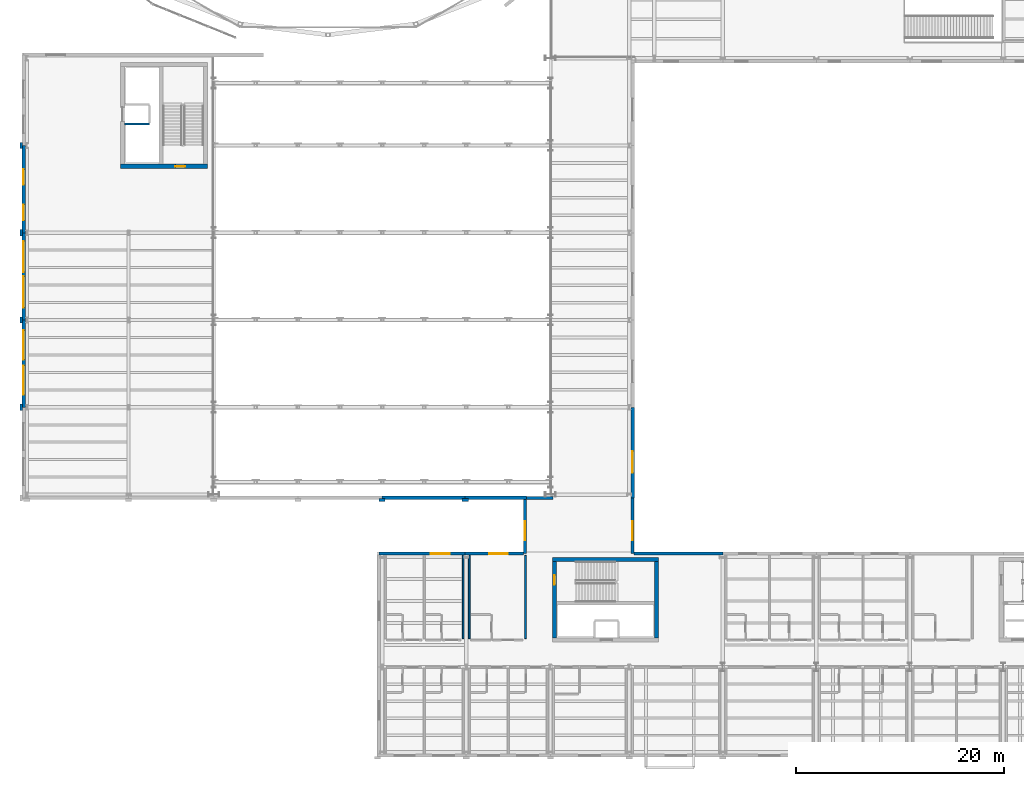
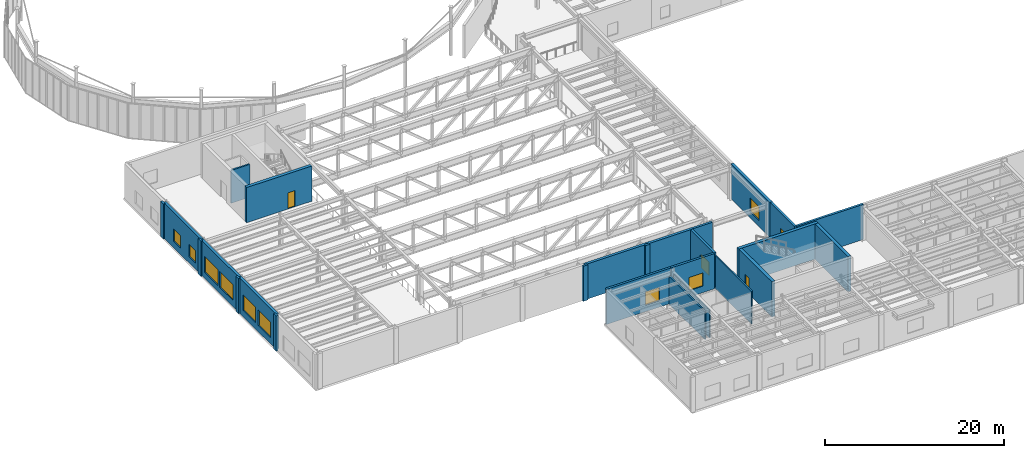
# One storey, part 67 of 91: 26 walls, 11 windows, 2 doors, 13 openings.
"""IFC4 building model written with IfcOpenShell, lengths in metres."""

from ifc_helpers import new_model, si_unit, direction, frame, frame_2d, origin, place, context, subcontext, project, spatial, rectangle, extrude, material, layer, layer_set, type_object, element, fill, save


model = new_model("IFC4")

# Units and contexts
model_context = context("Model", 3, precision=1e-05, world=origin(), true_north=direction((0.0, 1.0)))
body_context = subcontext(model_context, "Body", "Model", "MODEL_VIEW")
ifc_project = project(units=[si_unit("LENGTHUNIT", "METRE"), si_unit("AREAUNIT", "SQUARE_METRE"), si_unit("VOLUMEUNIT", "CUBIC_METRE"), si_unit("PLANEANGLEUNIT", "RADIAN"), si_unit("MASSUNIT", "GRAM", prefix="KILO")], contexts=[model_context])

# Site, building, storey
site_placement = place(None, origin())
site = spatial("IfcSite", under=ifc_project, at=site_placement, CompositionType="ELEMENT")
building_placement = place(site_placement, origin())
building = spatial("IfcBuilding", under=site, at=building_placement, Name="Sollismere Congress Hotel", CompositionType="ELEMENT")
storey_placement = place(building_placement, frame((0.0, 0.0, 10.800048828125)))
storey = spatial("IfcBuildingStorey", under=building, at=storey_placement, Name="L02", CompositionType="ELEMENT", Elevation=10.800048828125)

# Wall, opening, window
ifc_material_1 = material(Name="Colorado Buff Sandstone Rainscreen on Insulated Backup", Category="masonry")
ifc_layer_1 = layer(ifc_material_1, 0.284912109375, Name="Colorado Buff Sandstone Rainscreen on Insulated Backup")
ifc_layer_set_1 = layer_set([ifc_layer_1], Name="Colorado Buff Sandstone Rainscreen on Insulated Backup")
wall_type_1 = type_object("IfcWallType", Name="WL-EXT285", PredefinedType="STANDARD", material=ifc_layer_set_1)
wall_1_placement = place(storey_placement, frame((58.31005859375, 19.110107421875, 0.0), z_axis=(0.0, 0.0, 1.0), x_axis=(0.0, 1.0, 0.0)))
wall_1 = element("IfcWall", 1, at=wall_1_placement, inside=storey, type_object=wall_type_1, Name="Exterior wall EW-L02-168", PredefinedType="STANDARD", context=body_context, shape_type="SweptSolid", body=[
    extrude(rectangle(XDim=5.3798828125, YDim=0.284912109375, at=frame_2d((2.68994140625, 0.0))), origin(), (0.0, 0.0, 1.0), 4.800048828125),
])
opening_1_placement = place(wall_1_placement, frame((1.300048828125, 0.0, 0.89990234375)))
opening_1 = element("IfcOpeningElement", 2, at=opening_1_placement, cuts=wall_1, Name="Opening W-L02-139", PredefinedType="OPENING", context=body_context, shape_type="SweptSolid", body=[
    extrude(rectangle(XDim=1.800048828125, YDim=1.800048828125, at=frame_2d((0.89990234375, 0.89990234375))), frame((0.0, 0.15234375, 0.0), z_axis=(0.0, -1.0, 0.0), x_axis=(1.0, 0.0, 0.0)), (0.0, 0.0, 1.0), 0.304931640625),
])
ifc_material_2 = material(Name="Thermally Broken Bronze Aluminum & Low-E Glass", Category="aluminium")
window_type_1 = type_object("IfcWindowType", Name="WN-P180x180", PartitioningType="SINGLE_PANEL", PredefinedType="WINDOW", material=ifc_material_2)
window_1_placement = place(opening_1_placement, origin())
window_1 = element("IfcWindow", 3, at=window_1_placement, inside=storey, type_object=window_type_1, Name="WIN-W-L02-139", OverallHeight=1.800048828125, OverallWidth=1.800048828125, PartitioningType="SINGLE_PANEL", PredefinedType="WINDOW", context=body_context, shape_type="SweptSolid", body=[
    extrude(rectangle(XDim=1.800048828125, YDim=1.800048828125, at=frame_2d((0.89990234375, 0.89990234375))), frame((0.0, 0.030029296875, 0.0), z_axis=(0.0, -1.0, 0.0), x_axis=(1.0, 0.0, 0.0)), (0.0, 0.0, 1.0), 0.06005859375),
])
fill(opening_1, window_1)

# Wall
wall_2_placement = place(storey_placement, frame((48.080078125, 24.489990234375, 0.0), z_axis=(0.0, 0.0, 1.0), x_axis=(1.0, 0.0, 0.0)))
element("IfcWall", 4, at=wall_2_placement, inside=storey, type_object=wall_type_1, Name="Exterior wall EW-L02-169", PredefinedType="STANDARD", context=body_context, shape_type="SweptSolid", body=[
    extrude(rectangle(XDim=2.56982421875, YDim=0.284912109375, at=frame_2d((1.284912109375, 0.0))), origin(), (0.0, 0.0, 1.0), 4.800048828125),
])

# Wall, opening, window
wall_3_placement = place(storey_placement, frame((47.949951171875, 19.110107421875, 0.0), z_axis=(0.0, 0.0, 1.0), x_axis=(0.0, 1.0, 0.0)))
wall_3 = element("IfcWall", 5, at=wall_3_placement, inside=storey, type_object=wall_type_1, Name="Exterior wall EW-L02-170", PredefinedType="STANDARD", context=body_context, shape_type="SweptSolid", body=[
    extrude(rectangle(XDim=5.3798828125, YDim=0.284912109375, at=frame_2d((2.68994140625, 0.0))), origin(), (0.0, 0.0, 1.0), 4.800048828125),
])
opening_2_placement = place(wall_3_placement, frame((1.300048828125, 0.0, 0.89990234375)))
opening_2 = element("IfcOpeningElement", 6, at=opening_2_placement, cuts=wall_3, Name="Opening W-L02-140", PredefinedType="OPENING", context=body_context, shape_type="SweptSolid", body=[
    extrude(rectangle(XDim=1.800048828125, YDim=1.800048828125, at=frame_2d((0.89990234375, 0.89990234375))), frame((0.0, 0.15234375, 0.0), z_axis=(0.0, -1.0, 0.0), x_axis=(1.0, 0.0, 0.0)), (0.0, 0.0, 1.0), 0.304931640625),
])
window_2_placement = place(opening_2_placement, origin())
window_2 = element("IfcWindow", 7, at=window_2_placement, inside=storey, type_object=window_type_1, Name="WIN-W-L02-140", OverallHeight=1.800048828125, OverallWidth=1.800048828125, PartitioningType="SINGLE_PANEL", PredefinedType="WINDOW", context=body_context, shape_type="SweptSolid", body=[
    extrude(rectangle(XDim=1.800048828125, YDim=1.800048828125, at=frame_2d((0.89990234375, 0.89990234375))), frame((0.0, 0.030029296875, 0.0), z_axis=(0.0, -1.0, 0.0), x_axis=(1.0, 0.0, 0.0)), (0.0, 0.0, 1.0), 0.06005859375),
])
fill(opening_2, window_2)

# Wall
wall_4_placement = place(storey_placement, frame((67.0, 19.110107421875, 0.0), z_axis=(0.0, 0.0, 1.0), x_axis=(-1.0, 0.0, 0.0)))
element("IfcWall", 8, at=wall_4_placement, inside=storey, type_object=wall_type_1, Name="Exterior wall EW-L02-370", PredefinedType="STANDARD", context=body_context, shape_type="SweptSolid", body=[
    extrude(rectangle(XDim=8.54541015625, YDim=0.284912109375, at=frame_2d((4.272705078125, 0.0))), origin(), (0.0, 0.0, 1.0), 4.800048828125),
])

# Wall, opening, window
wall_5_placement = place(storey_placement, frame((42.199951171875, 19.110107421875, 0.0), z_axis=(0.0, 0.0, 1.0), x_axis=(-1.0, 0.0, 0.0)))
wall_5 = element("IfcWall", 9, at=wall_5_placement, inside=storey, type_object=wall_type_1, Name="Exterior wall EW-L02-379", PredefinedType="STANDARD", context=body_context, shape_type="SweptSolid", body=[
    extrude(rectangle(XDim=8.31005859375, YDim=0.284912109375, at=frame_2d((4.155029296875, 0.0))), origin(), (0.0, 0.0, 1.0), 4.800048828125),
])
opening_3_placement = place(wall_5_placement, frame((1.5, 0.0, 0.8798828125)))
opening_3 = element("IfcOpeningElement", 10, at=opening_3_placement, cuts=wall_5, Name="Opening W-L02-299", PredefinedType="OPENING", context=body_context, shape_type="SweptSolid", body=[
    extrude(rectangle(XDim=1.800048828125, YDim=1.800048828125, at=frame_2d((0.89990234375, 0.89990234375))), frame((0.0, 0.15234375, 0.0), z_axis=(0.0, -1.0, 0.0), x_axis=(1.0, 0.0, 0.0)), (0.0, 0.0, 1.0), 0.304931640625),
])
window_3_placement = place(opening_3_placement, origin())
window_3 = element("IfcWindow", 11, at=window_3_placement, inside=storey, type_object=window_type_1, Name="WIN-W-L02-299", OverallHeight=1.800048828125, OverallWidth=1.800048828125, PartitioningType="SINGLE_PANEL", PredefinedType="WINDOW", context=body_context, shape_type="SweptSolid", body=[
    extrude(rectangle(XDim=1.800048828125, YDim=1.800048828125, at=frame_2d((0.89990234375, 0.89990234375))), frame((0.0, 0.030029296875, 0.0), z_axis=(0.0, -1.0, 0.0), x_axis=(1.0, 0.0, 0.0)), (0.0, 0.0, 1.0), 0.06005859375),
])
fill(opening_3, window_3)

wall_6_placement = place(storey_placement, frame((47.805419921875, 19.110107421875, 0.0), z_axis=(0.0, 0.0, 1.0), x_axis=(-1.0, 0.0, 0.0)))
wall_6 = element("IfcWall", 12, at=wall_6_placement, inside=storey, type_object=wall_type_1, Name="Exterior wall EW-L02-380", PredefinedType="STANDARD", context=body_context, shape_type="SweptSolid", body=[
    extrude(rectangle(XDim=5.60546875, YDim=0.284912109375, at=frame_2d((2.802734375, 0.0))), origin(), (0.0, 0.0, 1.0), 4.800048828125),
])
opening_4_placement = place(wall_6_placement, frame((1.5, 0.0, 0.8798828125)))
opening_4 = element("IfcOpeningElement", 13, at=opening_4_placement, cuts=wall_6, Name="Opening W-L02-300", PredefinedType="OPENING", context=body_context, shape_type="SweptSolid", body=[
    extrude(rectangle(XDim=1.800048828125, YDim=1.800048828125, at=frame_2d((0.89990234375, 0.89990234375))), frame((0.0, 0.15234375, 0.0), z_axis=(0.0, -1.0, 0.0), x_axis=(1.0, 0.0, 0.0)), (0.0, 0.0, 1.0), 0.304931640625),
])
window_4_placement = place(opening_4_placement, origin())
window_4 = element("IfcWindow", 14, at=window_4_placement, inside=storey, type_object=window_type_1, Name="WIN-W-L02-300", OverallHeight=1.800048828125, OverallWidth=1.800048828125, PartitioningType="SINGLE_PANEL", PredefinedType="WINDOW", context=body_context, shape_type="SweptSolid", body=[
    extrude(rectangle(XDim=1.800048828125, YDim=1.800048828125, at=frame_2d((0.89990234375, 0.89990234375))), frame((0.0, 0.030029296875, 0.0), z_axis=(0.0, -1.0, 0.0), x_axis=(1.0, 0.0, 0.0)), (0.0, 0.0, 1.0), 0.06005859375),
])
fill(opening_4, window_4)

# Wall, openings, windows
ifc_material_3 = material(Name="Colorado Buff Sandstone and Limestone Backup C40/50", Category="masonry")
ifc_layer_2 = layer(ifc_material_3, 0.340087890625, Name="Colorado Buff Sandstone and Limestone Backup C40/50")
ifc_layer_set_2 = layer_set([ifc_layer_2], Name="Colorado Buff Sandstone and Limestone Backup C40/50")
wall_type_2 = type_object("IfcWallType", Name="WL-EXT340", PredefinedType="STANDARD", material=ifc_layer_set_2)
wall_7_placement = place(storey_placement, frame((-0.31005859375, 33.199951171875, 0.0), z_axis=(0.0, 0.0, 1.0), x_axis=(0.0, 1.0, 0.0)))
wall_7 = element("IfcWall", 15, at=wall_7_placement, inside=storey, type_object=wall_type_2, Name="Exterior wall EW-L02-147", PredefinedType="STANDARD", context=body_context, shape_type="SweptSolid", body=[
    extrude(rectangle(XDim=8.400146484375, YDim=0.340087890625, at=frame_2d((4.2001953125, 0.0))), origin(), (0.0, 0.0, 1.0), 4.800048828125),
])
opening_5_placement = place(wall_7_placement, frame((1.199951171875, 0.0, 0.85009765625)))
opening_5 = element("IfcOpeningElement", 16, at=opening_5_placement, cuts=wall_7, Name="Opening W-L02-130", PredefinedType="OPENING", context=body_context, shape_type="SweptSolid", body=[
    extrude(rectangle(XDim=2.800048828125, YDim=2.10009765625, at=frame_2d((1.39990234375, 1.050048828125))), frame((0.0, 0.179931640625, 0.0), z_axis=(0.0, -1.0, 0.0), x_axis=(1.0, 0.0, 0.0)), (0.0, 0.0, 1.0), 0.360107421875),
])
opening_6_placement = place(wall_7_placement, frame((4.60009765625, 0.0, 0.85009765625)))
opening_6 = element("IfcOpeningElement", 17, at=opening_6_placement, cuts=wall_7, Name="Opening W-L02-131", PredefinedType="OPENING", context=body_context, shape_type="SweptSolid", body=[
    extrude(rectangle(XDim=2.800048828125, YDim=2.10009765625, at=frame_2d((1.39990234375, 1.050048828125))), frame((0.0, 0.179931640625, 0.0), z_axis=(0.0, -1.0, 0.0), x_axis=(1.0, 0.0, 0.0)), (0.0, 0.0, 1.0), 0.360107421875),
])
window_type_2 = type_object("IfcWindowType", Name="WN-P280x210", PartitioningType="SINGLE_PANEL", PredefinedType="WINDOW", material=ifc_material_2)
window_5_placement = place(opening_5_placement, origin())
window_5 = element("IfcWindow", 18, at=window_5_placement, inside=storey, type_object=window_type_2, Name="WIN-W-L02-130", OverallHeight=2.10009765625, OverallWidth=2.800048828125, PartitioningType="SINGLE_PANEL", PredefinedType="WINDOW", context=body_context, shape_type="SweptSolid", body=[
    extrude(rectangle(XDim=2.800048828125, YDim=2.10009765625, at=frame_2d((1.39990234375, 1.050048828125))), frame((0.0, 0.030029296875, 0.0), z_axis=(0.0, -1.0, 0.0), x_axis=(1.0, 0.0, 0.0)), (0.0, 0.0, 1.0), 0.06005859375),
])
fill(opening_5, window_5)
window_6_placement = place(opening_6_placement, origin())
window_6 = element("IfcWindow", 19, at=window_6_placement, inside=storey, type_object=window_type_2, Name="WIN-W-L02-131", OverallHeight=2.10009765625, OverallWidth=2.800048828125, PartitioningType="SINGLE_PANEL", PredefinedType="WINDOW", context=body_context, shape_type="SweptSolid", body=[
    extrude(rectangle(XDim=2.800048828125, YDim=2.10009765625, at=frame_2d((1.39990234375, 1.050048828125))), frame((0.0, 0.030029296875, 0.0), z_axis=(0.0, -1.0, 0.0), x_axis=(1.0, 0.0, 0.0)), (0.0, 0.0, 1.0), 0.06005859375),
])
fill(opening_6, window_6)

wall_8_placement = place(storey_placement, frame((-0.31005859375, 41.60009765625, 0.0), z_axis=(0.0, 0.0, 1.0), x_axis=(0.0, 1.0, 0.0)))
wall_8 = element("IfcWall", 20, at=wall_8_placement, inside=storey, type_object=wall_type_2, Name="Exterior wall EW-L02-149", PredefinedType="STANDARD", context=body_context, shape_type="SweptSolid", body=[
    extrude(rectangle(XDim=8.39990234375, YDim=0.340087890625, at=frame_2d((4.199951171875, 0.0))), origin(), (0.0, 0.0, 1.0), 4.800048828125),
])
opening_7_placement = place(wall_8_placement, frame((1.199951171875, 0.0, 0.85009765625)))
opening_7 = element("IfcOpeningElement", 21, at=opening_7_placement, cuts=wall_8, Name="Opening W-L02-132", PredefinedType="OPENING", context=body_context, shape_type="SweptSolid", body=[
    extrude(rectangle(XDim=3.0, YDim=2.14990234375, at=frame_2d((1.5, 1.074951171875))), frame((0.0, 0.179931640625, 0.0), z_axis=(0.0, -1.0, 0.0), x_axis=(1.0, 0.0, 0.0)), (0.0, 0.0, 1.0), 0.360107421875),
])
opening_8_placement = place(wall_8_placement, frame((4.60009765625, 0.0, 0.85009765625)))
opening_8 = element("IfcOpeningElement", 22, at=opening_8_placement, cuts=wall_8, Name="Opening W-L02-133", PredefinedType="OPENING", context=body_context, shape_type="SweptSolid", body=[
    extrude(rectangle(XDim=3.0, YDim=2.14990234375, at=frame_2d((1.5, 1.074951171875))), frame((0.0, 0.179931640625, 0.0), z_axis=(0.0, -1.0, 0.0), x_axis=(1.0, 0.0, 0.0)), (0.0, 0.0, 1.0), 0.360107421875),
])
window_type_3 = type_object("IfcWindowType", Name="WN-P300x215", PartitioningType="SINGLE_PANEL", PredefinedType="WINDOW", material=ifc_material_2)
window_7_placement = place(opening_7_placement, origin())
window_7 = element("IfcWindow", 23, at=window_7_placement, inside=storey, type_object=window_type_3, Name="WIN-W-L02-132", OverallHeight=2.14990234375, OverallWidth=3.0, PartitioningType="SINGLE_PANEL", PredefinedType="WINDOW", context=body_context, shape_type="SweptSolid", body=[
    extrude(rectangle(XDim=3.0, YDim=2.14990234375, at=frame_2d((1.5, 1.074951171875))), frame((0.0, 0.030029296875, 0.0), z_axis=(0.0, -1.0, 0.0), x_axis=(1.0, 0.0, 0.0)), (0.0, 0.0, 1.0), 0.06005859375),
])
fill(opening_7, window_7)
window_8_placement = place(opening_8_placement, origin())
window_8 = element("IfcWindow", 24, at=window_8_placement, inside=storey, type_object=window_type_3, Name="WIN-W-L02-133", OverallHeight=2.14990234375, OverallWidth=3.0, PartitioningType="SINGLE_PANEL", PredefinedType="WINDOW", context=body_context, shape_type="SweptSolid", body=[
    extrude(rectangle(XDim=3.0, YDim=2.14990234375, at=frame_2d((1.5, 1.074951171875))), frame((0.0, 0.030029296875, 0.0), z_axis=(0.0, -1.0, 0.0), x_axis=(1.0, 0.0, 0.0)), (0.0, 0.0, 1.0), 0.06005859375),
])
fill(opening_8, window_8)

wall_9_placement = place(storey_placement, frame((-0.31005859375, 50.0, 0.0), z_axis=(0.0, 0.0, 1.0), x_axis=(0.0, 1.0, 0.0)))
wall_9 = element("IfcWall", 25, at=wall_9_placement, inside=storey, type_object=wall_type_2, Name="Exterior wall EW-L02-151", PredefinedType="STANDARD", context=body_context, shape_type="SweptSolid", body=[
    extrude(rectangle(XDim=8.39990234375, YDim=0.340087890625, at=frame_2d((4.199951171875, 0.0))), origin(), (0.0, 0.0, 1.0), 4.800048828125),
])
opening_9_placement = place(wall_9_placement, frame((1.199951171875, 0.0, 0.85009765625)))
opening_9 = element("IfcOpeningElement", 26, at=opening_9_placement, cuts=wall_9, Name="Opening W-L02-134", PredefinedType="OPENING", context=body_context, shape_type="SweptSolid", body=[
    extrude(rectangle(XDim=1.5, YDim=1.699951171875, at=frame_2d((0.75, 0.85009765625))), frame((0.0, 0.179931640625, 0.0), z_axis=(0.0, -1.0, 0.0), x_axis=(1.0, 0.0, 0.0)), (0.0, 0.0, 1.0), 0.360107421875),
])
opening_10_placement = place(wall_9_placement, frame((4.60009765625, 0.0, 0.85009765625)))
opening_10 = element("IfcOpeningElement", 27, at=opening_10_placement, cuts=wall_9, Name="Opening W-L02-135", PredefinedType="OPENING", context=body_context, shape_type="SweptSolid", body=[
    extrude(rectangle(XDim=1.5, YDim=1.699951171875, at=frame_2d((0.75, 0.85009765625))), frame((0.0, 0.179931640625, 0.0), z_axis=(0.0, -1.0, 0.0), x_axis=(1.0, 0.0, 0.0)), (0.0, 0.0, 1.0), 0.360107421875),
])
window_type_4 = type_object("IfcWindowType", Name="WN-P150x170", PartitioningType="SINGLE_PANEL", PredefinedType="WINDOW", material=ifc_material_2)
window_9_placement = place(opening_9_placement, origin())
window_9 = element("IfcWindow", 28, at=window_9_placement, inside=storey, type_object=window_type_4, Name="WIN-W-L02-134", OverallHeight=1.699951171875, OverallWidth=1.5, PartitioningType="SINGLE_PANEL", PredefinedType="WINDOW", context=body_context, shape_type="SweptSolid", body=[
    extrude(rectangle(XDim=1.5, YDim=1.699951171875, at=frame_2d((0.75, 0.85009765625))), frame((0.0, 0.030029296875, 0.0), z_axis=(0.0, -1.0, 0.0), x_axis=(1.0, 0.0, 0.0)), (0.0, 0.0, 1.0), 0.06005859375),
])
fill(opening_9, window_9)
window_10_placement = place(opening_10_placement, origin())
window_10 = element("IfcWindow", 29, at=window_10_placement, inside=storey, type_object=window_type_4, Name="WIN-W-L02-135", OverallHeight=1.699951171875, OverallWidth=1.5, PartitioningType="SINGLE_PANEL", PredefinedType="WINDOW", context=body_context, shape_type="SweptSolid", body=[
    extrude(rectangle(XDim=1.5, YDim=1.699951171875, at=frame_2d((0.75, 0.85009765625))), frame((0.0, 0.030029296875, 0.0), z_axis=(0.0, -1.0, 0.0), x_axis=(1.0, 0.0, 0.0)), (0.0, 0.0, 1.0), 0.06005859375),
])
fill(opening_10, window_10)

# Walls
wall_10_placement = place(storey_placement, frame((34.199951171875, 24.489990234375, 0.0), z_axis=(0.0, 0.0, 1.0), x_axis=(1.0, 0.0, 0.0)))
element("IfcWall", 30, at=wall_10_placement, inside=storey, type_object=wall_type_2, Name="Exterior wall EW-L02-163", PredefinedType="STANDARD", context=body_context, shape_type="SweptSolid", body=[
    extrude(rectangle(XDim=8.0, YDim=0.340087890625, at=frame_2d((4.0, 0.0))), origin(), (0.0, 0.0, 1.0), 4.800048828125),
])
wall_11_placement = place(storey_placement, frame((42.199951171875, 24.489990234375, 0.0), z_axis=(0.0, 0.0, 1.0), x_axis=(1.0, 0.0, 0.0)))
element("IfcWall", 31, at=wall_11_placement, inside=storey, type_object=wall_type_2, Name="Exterior wall EW-L02-165", PredefinedType="STANDARD", context=body_context, shape_type="SweptSolid", body=[
    extrude(rectangle(XDim=5.880126953125, YDim=0.340087890625, at=frame_2d((2.93994140625, 0.0))), origin(), (0.0, 0.0, 1.0), 4.800048828125),
])

# Wall, opening, window
wall_12_placement = place(storey_placement, frame((58.31005859375, 24.489990234375, 0.0), z_axis=(0.0, 0.0, 1.0), x_axis=(0.0, 1.0, 0.0)))
wall_12 = element("IfcWall", 32, at=wall_12_placement, inside=storey, type_object=wall_type_2, Name="Exterior wall EW-L02-171", PredefinedType="STANDARD", context=body_context, shape_type="SweptSolid", body=[
    extrude(rectangle(XDim=8.7099609375, YDim=0.340087890625, at=frame_2d((4.35498046875, 0.0))), origin(), (0.0, 0.0, 1.0), 4.800048828125),
])
opening_11_placement = place(wall_12_placement, frame((2.39990234375, 0.0, 0.85009765625)))
opening_11 = element("IfcOpeningElement", 33, at=opening_11_placement, cuts=wall_12, Name="Opening W-L02-141", PredefinedType="OPENING", context=body_context, shape_type="SweptSolid", body=[
    extrude(rectangle(XDim=2.10009765625, YDim=1.89990234375, at=frame_2d((1.050048828125, 0.949951171875))), frame((0.0, 0.179931640625, 0.0), z_axis=(0.0, -1.0, 0.0), x_axis=(1.0, 0.0, 0.0)), (0.0, 0.0, 1.0), 0.360107421875),
])
window_type_5 = type_object("IfcWindowType", Name="WN-P210x190", PartitioningType="SINGLE_PANEL", PredefinedType="WINDOW", material=ifc_material_2)
window_11_placement = place(opening_11_placement, origin())
window_11 = element("IfcWindow", 34, at=window_11_placement, inside=storey, type_object=window_type_5, Name="WIN-W-L02-141", OverallHeight=1.89990234375, OverallWidth=2.10009765625, PartitioningType="SINGLE_PANEL", PredefinedType="WINDOW", context=body_context, shape_type="SweptSolid", body=[
    extrude(rectangle(XDim=2.10009765625, YDim=1.89990234375, at=frame_2d((1.050048828125, 0.949951171875))), frame((0.0, 0.030029296875, 0.0), z_axis=(0.0, -1.0, 0.0), x_axis=(1.0, 0.0, 0.0)), (0.0, 0.0, 1.0), 0.06005859375),
])
fill(opening_11, window_11)

# Walls
ifc_material_4 = material(Name="Carved Travertine Pilaster & Frieze Assembly", Category="masonry")
ifc_layer_3 = layer(ifc_material_4, 0.260009765625, Name="Carved Travertine Pilaster & Frieze Assembly")
ifc_layer_set_3 = layer_set([ifc_layer_3], Name="Carved Travertine Pilaster & Frieze Assembly")
wall_type_3 = type_object("IfcWallType", Name="WL-PIL280", PredefinedType="ELEMENTEDWALL", material=ifc_layer_set_3)
wall_13_placement = place(storey_placement, frame((-0.52001953125, 32.89990234375, 0.0), z_axis=(0.0, 0.0, 1.0), x_axis=(0.0, 1.0, 0.0)))
element("IfcWall", 35, at=wall_13_placement, inside=storey, type_object=wall_type_3, Name="Exterior wall EW-L02-148", PredefinedType="ELEMENTEDWALL", context=body_context, shape_type="SweptSolid", body=[
    extrude(rectangle(XDim=0.60009765625, YDim=0.260009765625, at=frame_2d((0.300048828125, 0.0))), origin(), (0.0, 0.0, 1.0), 4.800048828125),
])
wall_14_placement = place(storey_placement, frame((-0.52001953125, 41.300048828125, 0.0), z_axis=(0.0, 0.0, 1.0), x_axis=(0.0, 1.0, 0.0)))
element("IfcWall", 36, at=wall_14_placement, inside=storey, type_object=wall_type_3, Name="Exterior wall EW-L02-150", PredefinedType="ELEMENTEDWALL", context=body_context, shape_type="SweptSolid", body=[
    extrude(rectangle(XDim=0.599853515625, YDim=0.260009765625, at=frame_2d((0.2998046875, 0.0))), origin(), (0.0, 0.0, 1.0), 4.800048828125),
])
wall_15_placement = place(storey_placement, frame((-0.52001953125, 49.699951171875, 0.0), z_axis=(0.0, 0.0, 1.0), x_axis=(0.0, 1.0, 0.0)))
element("IfcWall", 37, at=wall_15_placement, inside=storey, type_object=wall_type_3, Name="Exterior wall EW-L02-152", PredefinedType="ELEMENTEDWALL", context=body_context, shape_type="SweptSolid", body=[
    extrude(rectangle(XDim=0.60009765625, YDim=0.260009765625, at=frame_2d((0.300048828125, 0.0))), origin(), (0.0, 0.0, 1.0), 4.800048828125),
])
wall_16_placement = place(storey_placement, frame((-0.52001953125, 58.10009765625, 0.0), z_axis=(0.0, 0.0, 1.0), x_axis=(0.0, 1.0, 0.0)))
element("IfcWall", 38, at=wall_16_placement, inside=storey, type_object=wall_type_3, Name="Exterior wall EW-L02-154", PredefinedType="ELEMENTEDWALL", context=body_context, shape_type="SweptSolid", body=[
    extrude(rectangle(XDim=0.599853515625, YDim=0.260009765625, at=frame_2d((0.2998046875, 0.0))), origin(), (0.0, 0.0, 1.0), 4.800048828125),
])
for number, where, z_axis, x_axis, name in (
    (39, (33.89990234375, 24.280029296875, 0.0), (0.0, 0.0, 1.0), (1.0, 0.0, 0.0), "Exterior wall EW-L02-164"),
    (40, (41.89990234375, 24.280029296875, 0.0), (0.0, 0.0, 1.0), (1.0, 0.0, 0.0), "Exterior wall EW-L02-166"),
):
    element("IfcWall", number, at=place(storey_placement, frame(where, z_axis=z_axis, x_axis=x_axis)), inside=storey, type_object=wall_type_3, Name=name, PredefinedType="ELEMENTEDWALL", context=body_context, shape_type="SweptSolid", body=[
        extrude(rectangle(XDim=0.60009765625, YDim=0.260009765625, at=frame_2d((0.300048828125, 0.0))), origin(), (0.0, 0.0, 1.0), 4.800048828125),
    ])
ifc_material_5 = material(Name="Moisture-Resistant Shaft Gypsum Assembly")
ifc_layer_4 = layer(ifc_material_5, 0.199951171875, Name="Moisture-Resistant Shaft Gypsum Assembly")
ifc_layer_set_4 = layer_set([ifc_layer_4], Name="Moisture-Resistant Shaft Gypsum Assembly")
wall_type_4 = type_object("IfcWallType", Name="WL-PLM200", PredefinedType="PLUMBINGWALL", material=ifc_layer_set_4)
wall_17_placement = place(storey_placement, frame((9.412109375, 60.455078125, 0.0), z_axis=(0.0, 0.0, 1.0), x_axis=(1.0, 0.0, 0.0)))
element("IfcWall", 41, at=wall_17_placement, inside=storey, type_object=wall_type_4, Name="Interior wall IW-L02-0660", PredefinedType="PLUMBINGWALL", context=body_context, shape_type="SweptSolid", body=[
    extrude(rectangle(XDim=2.387939453125, YDim=0.199951171875, at=frame_2d((1.19384765625, 0.0))), origin(), (0.0, 0.0, 1.0), 4.474853515625),
])
ifc_material_6 = material(Name="Fire-Rated Acoustic Gypsum Partition")
ifc_layer_5 = layer(ifc_material_6, 0.1650390625, Name="Fire-Rated Acoustic Gypsum Partition")
ifc_layer_set_5 = layer_set([ifc_layer_5], Name="Fire-Rated Acoustic Gypsum Partition")
wall_type_5 = type_object("IfcWallType", Name="WL-PRT165R", PredefinedType="PARTITIONING", material=ifc_layer_set_5)
for number, where, z_axis, x_axis, name in (
    (42, (42.0, 10.93994140625, 0.0), (0.0, 0.0, 1.0), (0.0, 1.0, 0.0), "Interior wall IW-L02-0990"),
    (43, (42.60009765625, 10.93994140625, 0.0), (0.0, 0.0, 1.0), (0.0, 1.0, 0.0), "Interior wall IW-L02-1006"),
):
    element("IfcWall", number, at=place(storey_placement, frame(where, z_axis=z_axis, x_axis=x_axis)), inside=storey, type_object=wall_type_5, Name=name, PredefinedType="PARTITIONING", context=body_context, shape_type="SweptSolid", body=[
        extrude(rectangle(XDim=8.012451171875, YDim=0.1650390625, at=frame_2d((4.00634765625, 0.0))), origin(), (0.0, 0.0, 1.0), 3.803955078125),
    ])
wall_18_placement = place(storey_placement, frame((48.0, 10.93994140625, 0.0), z_axis=(0.0, 0.0, 1.0), x_axis=(0.0, 1.0, 0.0)))
element("IfcWall", 44, at=wall_18_placement, inside=storey, type_object=wall_type_5, Name="Interior wall IW-L02-1007", PredefinedType="PARTITIONING", context=body_context, shape_type="SweptSolid", body=[
    extrude(rectangle(XDim=8.02001953125, YDim=0.1650390625, at=frame_2d((4.010009765625, 0.0))), origin(), (0.0, 0.0, 1.0), 4.474853515625),
])

# Wall, opening, door
ifc_material_7 = material(Name="Concrete C50/60", Category="concrete")
ifc_layer_6 = layer(ifc_material_7, 0.39990234375, Name="Concrete C50/60")
ifc_layer_set_6 = layer_set([ifc_layer_6], Name="Concrete C50/60")
wall_type_6 = type_object("IfcWallType", Name="WL-SHR400", PredefinedType="SHEAR", material=ifc_layer_set_6)
wall_19_placement = place(storey_placement, frame((9.0, 56.39990234375, 0.0), z_axis=(0.0, 0.0, 1.0), x_axis=(1.0, 0.0, 0.0)))
wall_19 = element("IfcWall", 45, at=wall_19_placement, inside=storey, type_object=wall_type_6, Name="Interior wall IW-L02-0655", PredefinedType="SHEAR", context=body_context, shape_type="SweptSolid", body=[
    extrude(rectangle(XDim=8.39990234375, YDim=0.39990234375, at=frame_2d((4.199951171875, 0.0))), origin(), (0.0, 0.0, 1.0), 4.800048828125),
])
opening_12_placement = place(wall_19_placement, frame((5.300048828125, 0.0, 0.0)))
opening_12 = element("IfcOpeningElement", 46, at=opening_12_placement, cuts=wall_19, Name="Opening D-ST-05-L02", PredefinedType="OPENING", context=body_context, shape_type="SweptSolid", body=[
    extrude(rectangle(XDim=0.949951171875, YDim=2.199951171875, at=frame_2d((0.47509765625, 1.10009765625))), frame((0.0, 0.2099609375, 0.0), z_axis=(0.0, -1.0, 0.0), x_axis=(1.0, 0.0, 0.0)), (0.0, 0.0, 1.0), 0.419921875),
])
ifc_material_8 = material(Name="Fire-Rated Insulated Steel Door", Category="steel")
door_type = type_object("IfcDoorType", Name="DR-FD90", OperationType="NOTDEFINED", PredefinedType="DOOR", material=ifc_material_8)
door_1_placement = place(opening_12_placement, origin())
door_1 = element("IfcDoor", 47, at=door_1_placement, inside=storey, type_object=door_type, Name="Exit stair fire door D-ST-05-L02", OperationType="SINGLE_SWING_RIGHT", OverallHeight=2.199951171875, OverallWidth=0.949951171875, PredefinedType="DOOR", context=body_context, shape_type="SweptSolid", body=[
    extrude(rectangle(XDim=0.949951171875, YDim=2.199951171875, at=frame_2d((0.47509765625, 1.10009765625))), frame((0.0, 0.02490234375, 0.0), z_axis=(0.0, -1.0, 0.0), x_axis=(1.0, 0.0, 0.0)), (0.0, 0.0, 1.0), 0.050048828125),
])
fill(opening_12, door_1)

# Wall
wall_20_placement = place(storey_placement, frame((60.800048828125, 18.550048828125, 0.0), z_axis=(0.0, 0.0, 1.0), x_axis=(-1.0, 0.0, 0.0)))
element("IfcWall", 48, at=wall_20_placement, inside=storey, type_object=wall_type_6, Name="Interior wall IW-L02-0696", PredefinedType="SHEAR", context=body_context, shape_type="SweptSolid", body=[
    extrude(rectangle(XDim=10.199951171875, YDim=0.39990234375, at=frame_2d((5.10009765625, 0.0))), origin(), (0.0, 0.0, 1.0), 4.800048828125),
])

# Wall, opening, door
wall_21_placement = place(storey_placement, frame((50.800048828125, 18.35009765625, 0.0), z_axis=(0.0, 0.0, 1.0), x_axis=(0.0, -1.0, 0.0)))
wall_21 = element("IfcWall", 49, at=wall_21_placement, inside=storey, type_object=wall_type_6, Name="Interior wall IW-L02-0697", PredefinedType="SHEAR", context=body_context, shape_type="SweptSolid", body=[
    extrude(rectangle(XDim=7.35009765625, YDim=0.39990234375, at=frame_2d((3.675048828125, 0.0))), origin(), (0.0, 0.0, 1.0), 4.800048828125),
])
opening_13_placement = place(wall_21_placement, frame((1.300048828125, 0.0, 0.0)))
opening_13 = element("IfcOpeningElement", 50, at=opening_13_placement, cuts=wall_21, Name="Opening D-ST-06-L02", PredefinedType="OPENING", context=body_context, shape_type="SweptSolid", body=[
    extrude(rectangle(XDim=0.949951171875, YDim=2.199951171875, at=frame_2d((0.47509765625, 1.10009765625))), frame((0.0, 0.2099609375, 0.0), z_axis=(0.0, -1.0, 0.0), x_axis=(1.0, 0.0, 0.0)), (0.0, 0.0, 1.0), 0.419921875),
])
door_2_placement = place(opening_13_placement, origin())
door_2 = element("IfcDoor", 51, at=door_2_placement, inside=storey, type_object=door_type, Name="Exit stair fire door D-ST-06-L02", OperationType="SINGLE_SWING_LEFT", OverallHeight=2.199951171875, OverallWidth=0.949951171875, PredefinedType="DOOR", context=body_context, shape_type="SweptSolid", body=[
    extrude(rectangle(XDim=0.949951171875, YDim=2.199951171875, at=frame_2d((0.47509765625, 1.10009765625))), frame((0.0, 0.02490234375, 0.0), z_axis=(0.0, -1.0, 0.0), x_axis=(1.0, 0.0, 0.0)), (0.0, 0.0, 1.0), 0.050048828125),
])
fill(opening_13, door_2)

# Wall
wall_22_placement = place(storey_placement, frame((60.60009765625, 11.0, 0.0), z_axis=(0.0, 0.0, 1.0), x_axis=(0.0, 1.0, 0.0)))
element("IfcWall", 52, at=wall_22_placement, inside=storey, type_object=wall_type_6, Name="Interior wall IW-L02-0698", PredefinedType="SHEAR", context=body_context, shape_type="SweptSolid", body=[
    extrude(rectangle(XDim=7.35009765625, YDim=0.39990234375, at=frame_2d((3.675048828125, 0.0))), origin(), (0.0, 0.0, 1.0), 4.800048828125),
])

save(model, "model.ifc")
